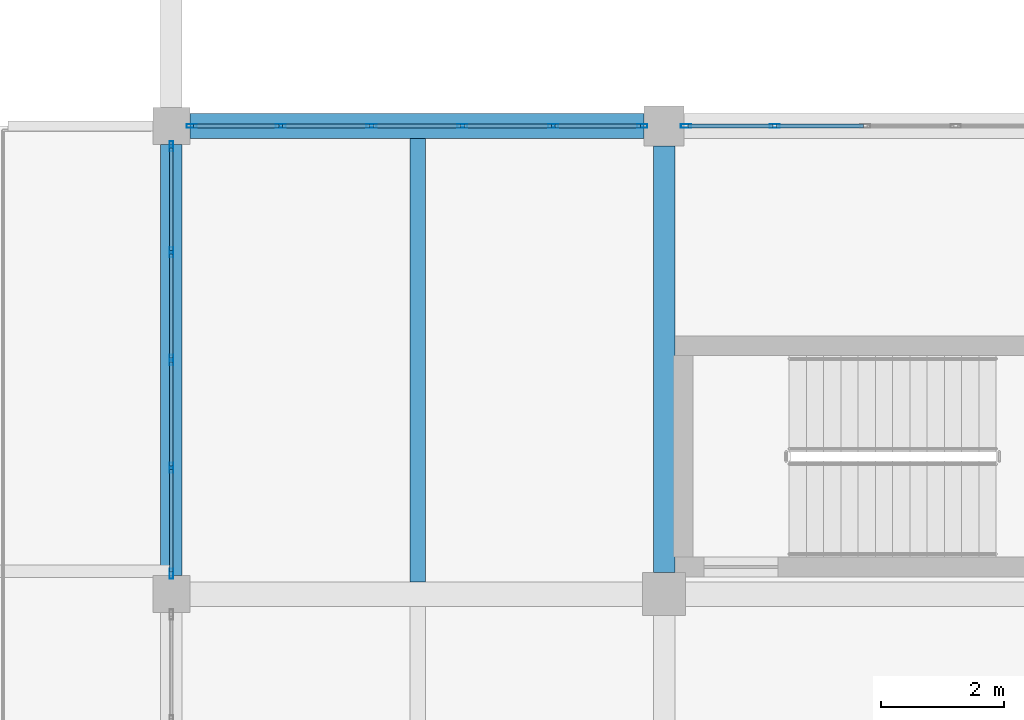
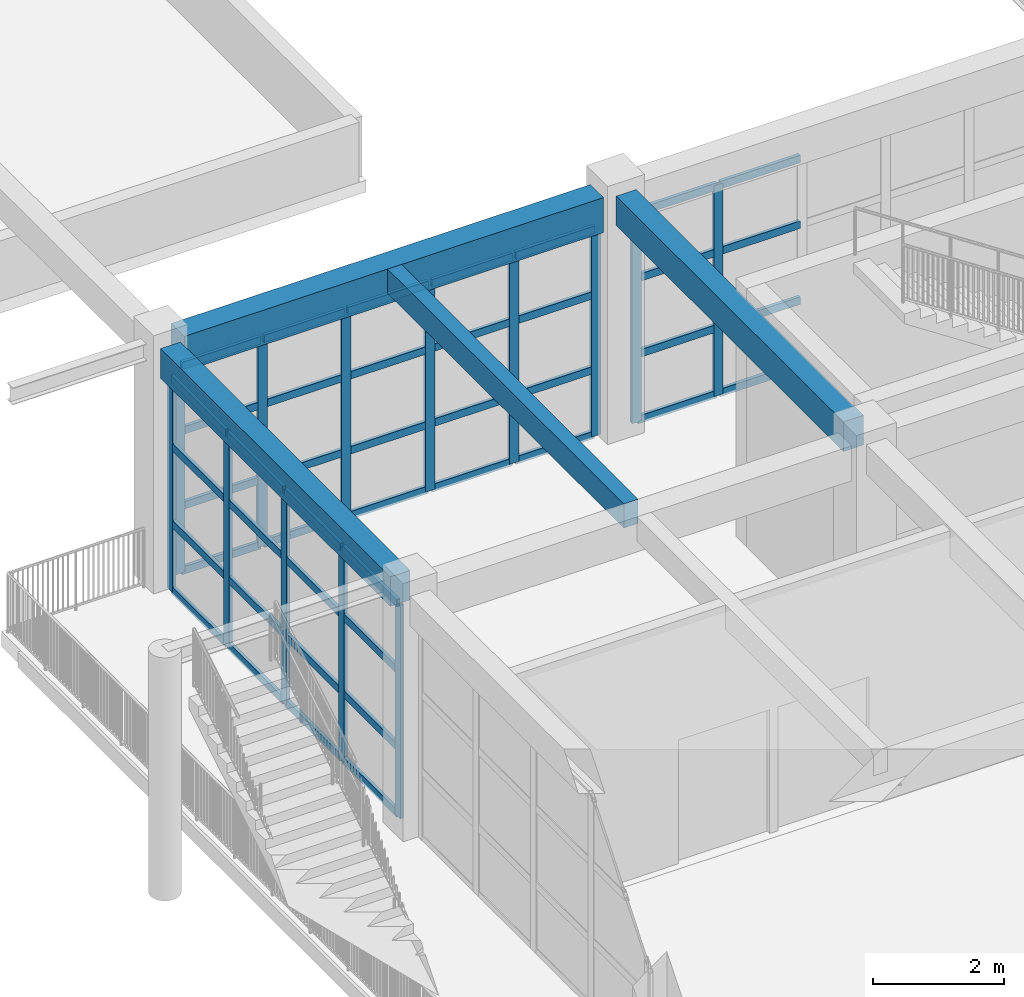
# One storey, part 13 of 50: 57 members, 4 beams, 3 elements without a shape of their own.
"""IFC4 building model written with IfcOpenShell, lengths in metres."""

import ifcopenshell
import ifcopenshell.guid

model = None  # the IFC model being written
_history = None  # IfcOwnerHistory: only IFC2X3 demands one
_inside = {}  # id of a spatial element -> (the spatial element, [elements in it])
_under = {}  # id of a project, library or spatial element -> (it, [spatial elements below it])
_declared = {}  # id of a project -> (the project, [libraries it declares])
_typed = {}  # id of a type object -> (the type object, [elements of that type])
_made_of = {}  # id of a material, layer set ... -> (it, [elements and type objects made of it])


def new_model(schema):
    """Start an empty IFC model of exactly this schema.

    Asked for "IFC4X3", IfcOpenShell would pick the latest addendum, in which some entities
    have other attributes; the version numbers below select the first issue.
    IFC2X3 requires an IfcOwnerHistory on every rooted entity: one is made here for all.
    """
    global model, _history
    if schema == "IFC4X3":
        model = ifcopenshell.file(schema_version=(4, 3, 0, 0))
    else:
        model = ifcopenshell.file(schema=schema)
    _inside.clear()
    _under.clear()
    _declared.clear()
    _typed.clear()
    _made_of.clear()
    _history = None
    if model.schema == "IFC2X3":
        org = make("IfcOrganization", Name="unknown")
        user = make(
            "IfcPersonAndOrganization",
            ThePerson=make("IfcPerson", FamilyName="unknown"),
            TheOrganization=org,
        )
        app = make(
            "IfcApplication",
            ApplicationDeveloper=org,
            Version="unknown",
            ApplicationFullName="unknown",
            ApplicationIdentifier="unknown",
        )
        _history = make(
            "IfcOwnerHistory",
            OwningUser=user,
            OwningApplication=app,
            ChangeAction="ADDED",
            CreationDate=0,
        )
    return model


def make(cls, **values):
    """One entity of the class cls with the attributes given. An attribute that is None is left unset."""
    return model.create_entity(
        cls, **{name: value for name, value in values.items() if value is not None}
    )


def rooted(cls, **values):
    """An entity with a GlobalId (a new one), such as an element, a storey or a relation."""
    return make(cls, GlobalId=ifcopenshell.guid.new(), OwnerHistory=_history, **values)


def si_unit(unit_type, name, prefix=None):
    """IfcSIUnit, for example si_unit("LENGTHUNIT", "METRE", prefix="MILLI")."""
    return make("IfcSIUnit", UnitType=unit_type, Prefix=prefix, Name=name)


def assignment(units):
    """IfcUnitAssignment: the units of a project."""
    return None if units is None else make("IfcUnitAssignment", Units=units)


def point(xyz):
    """IfcCartesianPoint."""
    return None if xyz is None else make("IfcCartesianPoint", Coordinates=xyz)


def direction(xyz):
    """IfcDirection."""
    return None if xyz is None else make("IfcDirection", DirectionRatios=xyz)


def frame(location, z_axis=None, x_axis=None):
    """IfcAxis2Placement3D, a coordinate frame: its origin and axes. An axis left out is left unset."""
    return make(
        "IfcAxis2Placement3D",
        Location=point(location),
        Axis=direction(z_axis),
        RefDirection=direction(x_axis),
    )


def frame_2d(location, x_axis=None):
    """IfcAxis2Placement2D, a coordinate frame in the plane: its origin and x axis."""
    return make(
        "IfcAxis2Placement2D", Location=point(location), RefDirection=direction(x_axis)
    )


def origin():
    """The frame at (0, 0, 0) with its axes left unset."""
    return frame((0.0, 0.0, 0.0))


def origin_2d():
    """The frame at (0, 0) in the plane with its x axis left unset."""
    return frame_2d((0.0, 0.0))


def place(relative_to, where):
    """IfcLocalPlacement: puts the frame where relative to a parent placement (None: the world)."""
    return make(
        "IfcLocalPlacement", PlacementRelTo=relative_to, RelativePlacement=where
    )


def context(
    kind, dimensions, precision=None, world=None, true_north=None, identifier=None
):
    """IfcGeometricRepresentationContext, for example the 3D "Model" context."""
    return make(
        "IfcGeometricRepresentationContext",
        ContextIdentifier=identifier,
        ContextType=kind,
        CoordinateSpaceDimension=dimensions,
        Precision=precision,
        WorldCoordinateSystem=world,
        TrueNorth=true_north,
    )


def subcontext(parent, identifier, kind, view, scale=None):
    """IfcGeometricRepresentationSubContext, for example "Body" below "Model"."""
    return make(
        "IfcGeometricRepresentationSubContext",
        ContextIdentifier=identifier,
        ContextType=kind,
        ParentContext=parent,
        TargetScale=scale,
        TargetView=view,
    )


def project(units=None, contexts=None):
    """IfcProject with its units and contexts."""
    return rooted(
        "IfcProject",
        Name="project",
        RepresentationContexts=contexts,
        UnitsInContext=assignment(units),
    )


def spatial(cls, under=None, at=None, **own):
    """A site, building, storey or space (cls), placed at a placement, below another one or the project."""
    s = rooted(cls, ObjectPlacement=at, **own)
    if under is not None:
        _under.setdefault(under.id(), (under, []))[1].append(s)
    return s


def profile(cls, at=None, kind="AREA", **sizes):
    """A parametric profile (cls). Its sizes go by their IFC names, for example OverallWidth=200.0."""
    return make(cls, ProfileType=kind, Position=at, **sizes)


def rectangle(**sizes):
    """IfcRectangleProfileDef."""
    return profile("IfcRectangleProfileDef", **sizes)


def hollow_rectangle(**sizes):
    """IfcRectangleHollowProfileDef."""
    return profile("IfcRectangleHollowProfileDef", **sizes)


def extrude(swept, where, along, depth):
    """IfcExtrudedAreaSolid: the profile swept, set in the frame where, extruded along a direction by depth."""
    return make(
        "IfcExtrudedAreaSolid",
        SweptArea=swept,
        Position=where,
        ExtrudedDirection=direction(along),
        Depth=depth,
    )


def shape(context_of_items, identifier, shape_type, items):
    """IfcShapeRepresentation: the items that make up one representation, for example the "Body"."""
    return make(
        "IfcShapeRepresentation",
        ContextOfItems=context_of_items,
        RepresentationIdentifier=identifier,
        RepresentationType=shape_type,
        Items=items,
    )


def material(Name=None, Category=None):
    """IfcMaterial."""
    return make("IfcMaterial", Name=Name, Category=Category)


def material_profile(
    of_material, cross_section, Name=None, Category=None, Priority=None
):
    """IfcMaterialProfile: a cross section and its material."""
    return make(
        "IfcMaterialProfile",
        Name=Name,
        Material=of_material,
        Profile=cross_section,
        Priority=Priority,
        Category=Category,
    )


def profile_set(profiles, Name=None, composite=None):
    """IfcMaterialProfileSet."""
    return make(
        "IfcMaterialProfileSet",
        Name=Name,
        MaterialProfiles=profiles,
        CompositeProfile=composite,
    )


def made_of(thing, what):
    """Note that an element or type object is made of a material, layer set ...; save() writes the relation."""
    if what is not None:
        _made_of.setdefault(what.id(), (what, []))[1].append(thing)
    return thing


def type_object(cls, material=None, **own):
    """A type object (cls), such as IfcWallType, which elements share."""
    return made_of(rooted(cls, **own), material)


def element(
    cls,
    number,
    at=None,
    inside=None,
    cuts=None,
    type_object=None,
    material=None,
    context=None,
    identifier="Body",
    shape_type=None,
    held_by="IfcProductDefinitionShape",
    body=None,
    shapes=None,
    **own,
):
    """One element of the class cls, such as IfcWall. Its Tag is "e" and its number.

    at: its placement. inside: the storey or other place that contains it. cuts: it is an
    opening in that element (IfcRelVoidsElement). A single representation is given by context,
    identifier, shape_type and body (its items); several are given by shapes. held_by: the class
    of the entity that holds the representations. save() writes the other relations.
    """
    e = rooted(cls, Tag="e%d" % number, ObjectPlacement=at, **own)
    if body is not None:
        shapes = [shape(context, identifier, shape_type, body)]
    if shapes is not None:
        e.Representation = make(held_by, Representations=shapes)
    if inside is not None:
        _inside.setdefault(inside.id(), (inside, []))[1].append(e)
    if cuts is not None:
        rooted(
            "IfcRelVoidsElement", RelatingBuildingElement=cuts, RelatedOpeningElement=e
        )
    if type_object is not None:
        _typed.setdefault(type_object.id(), (type_object, []))[1].append(e)
    return made_of(e, material)


def aggregate(whole, parts):
    """IfcRelAggregates: a whole, such as a stair, and the parts it consists of."""
    return rooted("IfcRelAggregates", RelatingObject=whole, RelatedObjects=parts)


def save(model, path):
    """Write the relations noted so far, then the file.

    IfcRelAggregates (storeys below a building ...), IfcRelContainedInSpatialStructure (elements
    in a storey), IfcRelDefinesByType, IfcRelAssociatesMaterial and IfcRelDeclares: one each for
    every whole, place, type object, material and project.
    """
    for whole, parts in _under.values():
        aggregate(whole, parts)
    for where, things in _inside.values():
        rooted(
            "IfcRelContainedInSpatialStructure",
            RelatedElements=things,
            RelatingStructure=where,
        )
    for kind, things in _typed.values():
        rooted("IfcRelDefinesByType", RelatedObjects=things, RelatingType=kind)
    for what, things in _made_of.values():
        rooted("IfcRelAssociatesMaterial", RelatedObjects=things, RelatingMaterial=what)
    for by, libraries in _declared.values():
        rooted("IfcRelDeclares", RelatingContext=by, RelatedDefinitions=libraries)
    model.write(path)


model = new_model("IFC4")

# Units and contexts
model_context = context("Model", 3, precision=1e-05, world=origin(), true_north=direction((0.0, 1.0)))
body_context = subcontext(model_context, "Body", "Model", "MODEL_VIEW")
ifc_project = project(units=[si_unit("LENGTHUNIT", "METRE"), si_unit("AREAUNIT", "SQUARE_METRE"), si_unit("VOLUMEUNIT", "CUBIC_METRE"), si_unit("PLANEANGLEUNIT", "RADIAN"), si_unit("MASSUNIT", "GRAM", prefix="KILO")], contexts=[model_context])

# Site, building, storey
site_placement = place(None, origin())
site = spatial("IfcSite", under=ifc_project, at=site_placement, CompositionType="ELEMENT")
building_placement = place(site_placement, origin())
building = spatial("IfcBuilding", under=site, at=building_placement, Name="Zantavel Square City Hall", CompositionType="ELEMENT")
storey_placement = place(building_placement, frame((0.0, 0.0, 18.89990234375)))
storey = spatial("IfcBuildingStorey", under=building, at=storey_placement, Name="L05", CompositionType="ELEMENT", Elevation=18.89990234375)

# Curtain wall, members
ifc_material_1 = material(Name="Anodised aluminium 6063-T6", Category="aluminium")
curtain_wall_type_1 = type_object("IfcCurtainWallType", Name="Curtain Wall TRV1 7375x3870", PredefinedType="USERDEFINED", material=ifc_material_1)
curtain_wall_1_placement = place(storey_placement, origin())
curtain_wall_1 = element("IfcCurtainWall", 1, at=curtain_wall_1_placement, inside=storey, type_object=curtain_wall_type_1, Name="L05 Glazed Curtain Wall CW-L05-122", ObjectType="GLAZED CURTAIN WALL", PredefinedType="USERDEFINED")
ifc_material_profile_1 = material_profile(ifc_material_1, hollow_rectangle(XDim=0.06005859375, YDim=0.1650390625, WallThickness=0.00390625, at=origin_2d()), Name="ALU 60x165x4")
ifc_profile_set_1 = profile_set([ifc_material_profile_1], Name="Anodised aluminium 6063-T6")
member_type_1 = type_object("IfcMemberType", Name="CW Council Gallery Mullion ALU 60x165x4", PredefinedType="MULLION", material=ifc_profile_set_1)
member_1_placement = place(storey_placement, frame((56.330078125, 68.39990234375, 0.0), z_axis=(0.0, 0.0, 1.0), x_axis=(0.0, 1.0, 0.0)))
member_1 = element("IfcMember", 2, at=member_1_placement, type_object=member_type_1, Name="CW-122 mullion 1", PredefinedType="MULLION", context=body_context, shape_type="SweptSolid", body=[
    extrude(hollow_rectangle(XDim=0.06005859375, YDim=0.1650390625, WallThickness=0.00390625, at=origin_2d()), origin(), (0.0, 0.0, 1.0), 3.8701171875),
])
member_2_placement = place(storey_placement, frame((57.77490234375, 68.39990234375, 0.0), z_axis=(0.0, 0.0, 1.0), x_axis=(0.0, 1.0, 0.0)))
member_2 = element("IfcMember", 3, at=member_2_placement, type_object=member_type_1, Name="CW-122 mullion 2", PredefinedType="MULLION", context=body_context, shape_type="SweptSolid", body=[
    extrude(hollow_rectangle(XDim=0.06005859375, YDim=0.1650390625, WallThickness=0.00390625, at=origin_2d()), origin(), (0.0, 0.0, 1.0), 3.8701171875),
])
member_3_placement = place(storey_placement, frame((59.25, 68.39990234375, 0.0), z_axis=(0.0, 0.0, 1.0), x_axis=(0.0, 1.0, 0.0)))
member_3 = element("IfcMember", 4, at=member_3_placement, type_object=member_type_1, Name="CW-122 mullion 3", PredefinedType="MULLION", context=body_context, shape_type="SweptSolid", body=[
    extrude(hollow_rectangle(XDim=0.06005859375, YDim=0.1650390625, WallThickness=0.00390625, at=origin_2d()), origin(), (0.0, 0.0, 1.0), 3.8701171875),
])
member_4_placement = place(storey_placement, frame((60.72509765625, 68.39990234375, 0.0), z_axis=(0.0, 0.0, 1.0), x_axis=(0.0, 1.0, 0.0)))
member_4 = element("IfcMember", 5, at=member_4_placement, type_object=member_type_1, Name="CW-122 mullion 4", PredefinedType="MULLION", context=body_context, shape_type="SweptSolid", body=[
    extrude(hollow_rectangle(XDim=0.06005859375, YDim=0.1650390625, WallThickness=0.00390625, at=origin_2d()), origin(), (0.0, 0.0, 1.0), 3.8701171875),
])
member_5_placement = place(storey_placement, frame((62.199951171875, 68.39990234375, 0.0), z_axis=(0.0, 0.0, 1.0), x_axis=(0.0, 1.0, 0.0)))
member_5 = element("IfcMember", 6, at=member_5_placement, type_object=member_type_1, Name="CW-122 mullion 5", PredefinedType="MULLION", context=body_context, shape_type="SweptSolid", body=[
    extrude(hollow_rectangle(XDim=0.06005859375, YDim=0.1650390625, WallThickness=0.00390625, at=origin_2d()), origin(), (0.0, 0.0, 1.0), 3.8701171875),
])
member_6_placement = place(storey_placement, frame((63.64501953125, 68.39990234375, 0.0), z_axis=(0.0, 0.0, 1.0), x_axis=(0.0, 1.0, 0.0)))
member_6 = element("IfcMember", 7, at=member_6_placement, type_object=member_type_1, Name="CW-122 mullion 6", PredefinedType="MULLION", context=body_context, shape_type="SweptSolid", body=[
    extrude(hollow_rectangle(XDim=0.06005859375, YDim=0.1650390625, WallThickness=0.00390625, at=origin_2d()), origin(), (0.0, 0.0, 1.0), 3.8701171875),
])

curtain_wall_type_2 = type_object("IfcCurtainWallType", Name="Curtain Wall TRV1 7350x3920", PredefinedType="USERDEFINED", material=ifc_material_1)
curtain_wall_2_placement = place(storey_placement, origin())
curtain_wall_2 = element("IfcCurtainWall", 8, at=curtain_wall_2_placement, inside=storey, type_object=curtain_wall_type_2, Name="L05 Glazed Curtain Wall CW-L05-123", ObjectType="GLAZED CURTAIN WALL", PredefinedType="USERDEFINED")
member_7_placement = place(storey_placement, frame((64.35498046875, 68.39990234375, 0.0), z_axis=(0.0, 0.0, 1.0), x_axis=(0.0, 1.0, 0.0)))
member_7 = element("IfcMember", 9, at=member_7_placement, type_object=member_type_1, Name="CW-123 mullion 1", PredefinedType="MULLION", context=body_context, shape_type="SweptSolid", body=[
    extrude(hollow_rectangle(XDim=0.06005859375, YDim=0.1650390625, WallThickness=0.00390625, at=origin_2d()), origin(), (0.0, 0.0, 1.0), 3.920166015625),
])
member_8_placement = place(storey_placement, frame((65.794921875, 68.39990234375, 0.0), z_axis=(0.0, 0.0, 1.0), x_axis=(0.0, 1.0, 0.0)))
member_8 = element("IfcMember", 10, at=member_8_placement, type_object=member_type_1, Name="CW-123 mullion 2", PredefinedType="MULLION", context=body_context, shape_type="SweptSolid", body=[
    extrude(hollow_rectangle(XDim=0.06005859375, YDim=0.1650390625, WallThickness=0.00390625, at=origin_2d()), origin(), (0.0, 0.0, 1.0), 3.920166015625),
])

curtain_wall_type_3 = type_object("IfcCurtainWallType", Name="Curtain Wall TRV1 7000x3970", PredefinedType="USERDEFINED", material=ifc_material_1)
curtain_wall_3_placement = place(storey_placement, origin())
curtain_wall_3 = element("IfcCurtainWall", 11, at=curtain_wall_3_placement, inside=storey, type_object=curtain_wall_type_3, Name="L05 Glazed Curtain Wall CW-L05-143", ObjectType="GLAZED CURTAIN WALL", PredefinedType="USERDEFINED")
member_9_placement = place(storey_placement, frame((56.0, 61.1298828125, 0.0), z_axis=(0.0, 0.0, 1.0), x_axis=(-1.0, 0.0, 0.0)))
member_9 = element("IfcMember", 12, at=member_9_placement, type_object=member_type_1, Name="CW-143 mullion 1", PredefinedType="MULLION", context=body_context, shape_type="SweptSolid", body=[
    extrude(hollow_rectangle(XDim=0.06005859375, YDim=0.1650390625, WallThickness=0.00390625, at=origin_2d()), origin(), (0.0, 0.0, 1.0), 3.97021484375),
])
member_10_placement = place(storey_placement, frame((56.0, 62.85009765625, 0.0), z_axis=(0.0, 0.0, 1.0), x_axis=(-1.0, 0.0, 0.0)))
member_10 = element("IfcMember", 13, at=member_10_placement, type_object=member_type_1, Name="CW-143 mullion 2", PredefinedType="MULLION", context=body_context, shape_type="SweptSolid", body=[
    extrude(hollow_rectangle(XDim=0.06005859375, YDim=0.1650390625, WallThickness=0.00390625, at=origin_2d()), origin(), (0.0, 0.0, 1.0), 3.97021484375),
])
member_11_placement = place(storey_placement, frame((56.0, 64.60009765625, 0.0), z_axis=(0.0, 0.0, 1.0), x_axis=(-1.0, 0.0, 0.0)))
member_11 = element("IfcMember", 14, at=member_11_placement, type_object=member_type_1, Name="CW-143 mullion 3", PredefinedType="MULLION", context=body_context, shape_type="SweptSolid", body=[
    extrude(hollow_rectangle(XDim=0.06005859375, YDim=0.1650390625, WallThickness=0.00390625, at=origin_2d()), origin(), (0.0, 0.0, 1.0), 3.97021484375),
])
member_12_placement = place(storey_placement, frame((56.0, 66.35009765625, 0.0), z_axis=(0.0, 0.0, 1.0), x_axis=(-1.0, 0.0, 0.0)))
member_12 = element("IfcMember", 15, at=member_12_placement, type_object=member_type_1, Name="CW-143 mullion 4", PredefinedType="MULLION", context=body_context, shape_type="SweptSolid", body=[
    extrude(hollow_rectangle(XDim=0.06005859375, YDim=0.1650390625, WallThickness=0.00390625, at=origin_2d()), origin(), (0.0, 0.0, 1.0), 3.97021484375),
])
member_13_placement = place(storey_placement, frame((56.0, 68.070068359375, 0.0), z_axis=(0.0, 0.0, 1.0), x_axis=(-1.0, 0.0, 0.0)))
member_13 = element("IfcMember", 16, at=member_13_placement, type_object=member_type_1, Name="CW-143 mullion 5", PredefinedType="MULLION", context=body_context, shape_type="SweptSolid", body=[
    extrude(hollow_rectangle(XDim=0.06005859375, YDim=0.1650390625, WallThickness=0.00390625, at=origin_2d()), origin(), (0.0, 0.0, 1.0), 3.97021484375),
])

# Member
ifc_material_profile_2 = material_profile(ifc_material_1, hollow_rectangle(XDim=0.06005859375, YDim=0.139892578125, WallThickness=0.00390625, at=origin_2d()), Name="ALU 60x140x4")
ifc_profile_set_2 = profile_set([ifc_material_profile_2], Name="Anodised aluminium 6063-T6")
member_type_2 = type_object("IfcMemberType", Name="CW Transom ALU 60x140x4", PredefinedType="USERDEFINED", material=ifc_profile_set_2)
member_14_placement = place(storey_placement, frame((56.360107421875, 68.39990234375, 0.030029296875), z_axis=(1.0, 0.0, 0.0), x_axis=(0.0, 1.0, 0.0)))
member_14 = element("IfcMember", 17, at=member_14_placement, type_object=member_type_2, Name="CW-122 transom 1.1", ObjectType="TRANSOM", PredefinedType="USERDEFINED", context=body_context, shape_type="SweptSolid", body=[
    extrude(hollow_rectangle(XDim=0.06005859375, YDim=0.139892578125, WallThickness=0.00390625, at=origin_2d()), origin(), (0.0, 0.0, 1.0), 1.385009765625),
])

member_15_placement = place(storey_placement, frame((56.360107421875, 68.39990234375, 1.238037109375), z_axis=(1.0, 0.0, 0.0), x_axis=(0.0, 1.0, 0.0)))
member_15 = element("IfcMember", 18, at=member_15_placement, type_object=member_type_2, Name="CW-122 transom 1.2", ObjectType="TRANSOM", PredefinedType="USERDEFINED", context=body_context, shape_type="SweptSolid", body=[
    extrude(hollow_rectangle(XDim=0.06005859375, YDim=0.139892578125, WallThickness=0.00390625, at=origin_2d()), origin(), (0.0, 0.0, 1.0), 1.385009765625),
])

member_16_placement = place(storey_placement, frame((56.360107421875, 68.39990234375, 2.632080078125), z_axis=(1.0, 0.0, 0.0), x_axis=(0.0, 1.0, 0.0)))
member_16 = element("IfcMember", 19, at=member_16_placement, type_object=member_type_2, Name="CW-122 transom 1.3", ObjectType="TRANSOM", PredefinedType="USERDEFINED", context=body_context, shape_type="SweptSolid", body=[
    extrude(hollow_rectangle(XDim=0.06005859375, YDim=0.139892578125, WallThickness=0.00390625, at=origin_2d()), origin(), (0.0, 0.0, 1.0), 1.385009765625),
])

member_17_placement = place(storey_placement, frame((56.360107421875, 68.39990234375, 3.840087890625), z_axis=(1.0, 0.0, 0.0), x_axis=(0.0, 1.0, 0.0)))
member_17 = element("IfcMember", 20, at=member_17_placement, type_object=member_type_2, Name="CW-122 transom 1.4", ObjectType="TRANSOM", PredefinedType="USERDEFINED", context=body_context, shape_type="SweptSolid", body=[
    extrude(hollow_rectangle(XDim=0.06005859375, YDim=0.139892578125, WallThickness=0.00390625, at=origin_2d()), origin(), (0.0, 0.0, 1.0), 1.385009765625),
])

member_18_placement = place(storey_placement, frame((57.804931640625, 68.39990234375, 0.030029296875), z_axis=(1.0, 0.0, 0.0), x_axis=(0.0, 1.0, 0.0)))
member_18 = element("IfcMember", 21, at=member_18_placement, type_object=member_type_2, Name="CW-122 transom 2.1", ObjectType="TRANSOM", PredefinedType="USERDEFINED", context=body_context, shape_type="SweptSolid", body=[
    extrude(hollow_rectangle(XDim=0.06005859375, YDim=0.139892578125, WallThickness=0.00390625, at=origin_2d()), origin(), (0.0, 0.0, 1.0), 1.4150390625),
])

member_19_placement = place(storey_placement, frame((57.804931640625, 68.39990234375, 1.238037109375), z_axis=(1.0, 0.0, 0.0), x_axis=(0.0, 1.0, 0.0)))
member_19 = element("IfcMember", 22, at=member_19_placement, type_object=member_type_2, Name="CW-122 transom 2.2", ObjectType="TRANSOM", PredefinedType="USERDEFINED", context=body_context, shape_type="SweptSolid", body=[
    extrude(hollow_rectangle(XDim=0.06005859375, YDim=0.139892578125, WallThickness=0.00390625, at=origin_2d()), origin(), (0.0, 0.0, 1.0), 1.4150390625),
])

member_20_placement = place(storey_placement, frame((57.804931640625, 68.39990234375, 2.632080078125), z_axis=(1.0, 0.0, 0.0), x_axis=(0.0, 1.0, 0.0)))
member_20 = element("IfcMember", 23, at=member_20_placement, type_object=member_type_2, Name="CW-122 transom 2.3", ObjectType="TRANSOM", PredefinedType="USERDEFINED", context=body_context, shape_type="SweptSolid", body=[
    extrude(hollow_rectangle(XDim=0.06005859375, YDim=0.139892578125, WallThickness=0.00390625, at=origin_2d()), origin(), (0.0, 0.0, 1.0), 1.4150390625),
])

member_21_placement = place(storey_placement, frame((57.804931640625, 68.39990234375, 3.840087890625), z_axis=(1.0, 0.0, 0.0), x_axis=(0.0, 1.0, 0.0)))
member_21 = element("IfcMember", 24, at=member_21_placement, type_object=member_type_2, Name="CW-122 transom 2.4", ObjectType="TRANSOM", PredefinedType="USERDEFINED", context=body_context, shape_type="SweptSolid", body=[
    extrude(hollow_rectangle(XDim=0.06005859375, YDim=0.139892578125, WallThickness=0.00390625, at=origin_2d()), origin(), (0.0, 0.0, 1.0), 1.4150390625),
])

member_22_placement = place(storey_placement, frame((59.280029296875, 68.39990234375, 0.030029296875), z_axis=(1.0, 0.0, 0.0), x_axis=(0.0, 1.0, 0.0)))
member_22 = element("IfcMember", 25, at=member_22_placement, type_object=member_type_2, Name="CW-122 transom 3.1", ObjectType="TRANSOM", PredefinedType="USERDEFINED", context=body_context, shape_type="SweptSolid", body=[
    extrude(hollow_rectangle(XDim=0.06005859375, YDim=0.139892578125, WallThickness=0.00390625, at=origin_2d()), origin(), (0.0, 0.0, 1.0), 1.4150390625),
])

member_23_placement = place(storey_placement, frame((59.280029296875, 68.39990234375, 1.238037109375), z_axis=(1.0, 0.0, 0.0), x_axis=(0.0, 1.0, 0.0)))
member_23 = element("IfcMember", 26, at=member_23_placement, type_object=member_type_2, Name="CW-122 transom 3.2", ObjectType="TRANSOM", PredefinedType="USERDEFINED", context=body_context, shape_type="SweptSolid", body=[
    extrude(hollow_rectangle(XDim=0.06005859375, YDim=0.139892578125, WallThickness=0.00390625, at=origin_2d()), origin(), (0.0, 0.0, 1.0), 1.4150390625),
])

member_24_placement = place(storey_placement, frame((59.280029296875, 68.39990234375, 2.632080078125), z_axis=(1.0, 0.0, 0.0), x_axis=(0.0, 1.0, 0.0)))
member_24 = element("IfcMember", 27, at=member_24_placement, type_object=member_type_2, Name="CW-122 transom 3.3", ObjectType="TRANSOM", PredefinedType="USERDEFINED", context=body_context, shape_type="SweptSolid", body=[
    extrude(hollow_rectangle(XDim=0.06005859375, YDim=0.139892578125, WallThickness=0.00390625, at=origin_2d()), origin(), (0.0, 0.0, 1.0), 1.4150390625),
])

member_25_placement = place(storey_placement, frame((59.280029296875, 68.39990234375, 3.840087890625), z_axis=(1.0, 0.0, 0.0), x_axis=(0.0, 1.0, 0.0)))
member_25 = element("IfcMember", 28, at=member_25_placement, type_object=member_type_2, Name="CW-122 transom 3.4", ObjectType="TRANSOM", PredefinedType="USERDEFINED", context=body_context, shape_type="SweptSolid", body=[
    extrude(hollow_rectangle(XDim=0.06005859375, YDim=0.139892578125, WallThickness=0.00390625, at=origin_2d()), origin(), (0.0, 0.0, 1.0), 1.4150390625),
])

member_26_placement = place(storey_placement, frame((60.7548828125, 68.39990234375, 0.030029296875), z_axis=(1.0, 0.0, 0.0), x_axis=(0.0, 1.0, 0.0)))
member_26 = element("IfcMember", 29, at=member_26_placement, type_object=member_type_2, Name="CW-122 transom 4.1", ObjectType="TRANSOM", PredefinedType="USERDEFINED", context=body_context, shape_type="SweptSolid", body=[
    extrude(hollow_rectangle(XDim=0.06005859375, YDim=0.139892578125, WallThickness=0.00390625, at=origin_2d()), origin(), (0.0, 0.0, 1.0), 1.4150390625),
])

member_27_placement = place(storey_placement, frame((60.7548828125, 68.39990234375, 1.238037109375), z_axis=(1.0, 0.0, 0.0), x_axis=(0.0, 1.0, 0.0)))
member_27 = element("IfcMember", 30, at=member_27_placement, type_object=member_type_2, Name="CW-122 transom 4.2", ObjectType="TRANSOM", PredefinedType="USERDEFINED", context=body_context, shape_type="SweptSolid", body=[
    extrude(hollow_rectangle(XDim=0.06005859375, YDim=0.139892578125, WallThickness=0.00390625, at=origin_2d()), origin(), (0.0, 0.0, 1.0), 1.4150390625),
])

member_28_placement = place(storey_placement, frame((60.7548828125, 68.39990234375, 2.632080078125), z_axis=(1.0, 0.0, 0.0), x_axis=(0.0, 1.0, 0.0)))
member_28 = element("IfcMember", 31, at=member_28_placement, type_object=member_type_2, Name="CW-122 transom 4.3", ObjectType="TRANSOM", PredefinedType="USERDEFINED", context=body_context, shape_type="SweptSolid", body=[
    extrude(hollow_rectangle(XDim=0.06005859375, YDim=0.139892578125, WallThickness=0.00390625, at=origin_2d()), origin(), (0.0, 0.0, 1.0), 1.4150390625),
])

member_29_placement = place(storey_placement, frame((60.7548828125, 68.39990234375, 3.840087890625), z_axis=(1.0, 0.0, 0.0), x_axis=(0.0, 1.0, 0.0)))
member_29 = element("IfcMember", 32, at=member_29_placement, type_object=member_type_2, Name="CW-122 transom 4.4", ObjectType="TRANSOM", PredefinedType="USERDEFINED", context=body_context, shape_type="SweptSolid", body=[
    extrude(hollow_rectangle(XDim=0.06005859375, YDim=0.139892578125, WallThickness=0.00390625, at=origin_2d()), origin(), (0.0, 0.0, 1.0), 1.4150390625),
])

member_30_placement = place(storey_placement, frame((62.22998046875, 68.39990234375, 0.030029296875), z_axis=(1.0, 0.0, 0.0), x_axis=(0.0, 1.0, 0.0)))
member_30 = element("IfcMember", 33, at=member_30_placement, type_object=member_type_2, Name="CW-122 transom 5.1", ObjectType="TRANSOM", PredefinedType="USERDEFINED", context=body_context, shape_type="SweptSolid", body=[
    extrude(hollow_rectangle(XDim=0.06005859375, YDim=0.139892578125, WallThickness=0.00390625, at=origin_2d()), origin(), (0.0, 0.0, 1.0), 1.385009765625),
])

member_31_placement = place(storey_placement, frame((62.22998046875, 68.39990234375, 1.238037109375), z_axis=(1.0, 0.0, 0.0), x_axis=(0.0, 1.0, 0.0)))
member_31 = element("IfcMember", 34, at=member_31_placement, type_object=member_type_2, Name="CW-122 transom 5.2", ObjectType="TRANSOM", PredefinedType="USERDEFINED", context=body_context, shape_type="SweptSolid", body=[
    extrude(hollow_rectangle(XDim=0.06005859375, YDim=0.139892578125, WallThickness=0.00390625, at=origin_2d()), origin(), (0.0, 0.0, 1.0), 1.385009765625),
])

member_32_placement = place(storey_placement, frame((62.22998046875, 68.39990234375, 2.632080078125), z_axis=(1.0, 0.0, 0.0), x_axis=(0.0, 1.0, 0.0)))
member_32 = element("IfcMember", 35, at=member_32_placement, type_object=member_type_2, Name="CW-122 transom 5.3", ObjectType="TRANSOM", PredefinedType="USERDEFINED", context=body_context, shape_type="SweptSolid", body=[
    extrude(hollow_rectangle(XDim=0.06005859375, YDim=0.139892578125, WallThickness=0.00390625, at=origin_2d()), origin(), (0.0, 0.0, 1.0), 1.385009765625),
])

member_33_placement = place(storey_placement, frame((62.22998046875, 68.39990234375, 3.840087890625), z_axis=(1.0, 0.0, 0.0), x_axis=(0.0, 1.0, 0.0)))
member_33 = element("IfcMember", 36, at=member_33_placement, type_object=member_type_2, Name="CW-122 transom 5.4", ObjectType="TRANSOM", PredefinedType="USERDEFINED", context=body_context, shape_type="SweptSolid", body=[
    extrude(hollow_rectangle(XDim=0.06005859375, YDim=0.139892578125, WallThickness=0.00390625, at=origin_2d()), origin(), (0.0, 0.0, 1.0), 1.385009765625),
])

aggregate(curtain_wall_1, [member_1, member_2, member_3, member_4, member_5, member_6, member_14, member_15, member_16, member_17, member_18, member_19, member_20, member_21, member_22, member_23, member_24, member_25, member_26, member_27, member_28, member_29, member_30, member_31, member_32, member_33])

member_34_placement = place(storey_placement, frame((64.385009765625, 68.39990234375, 0.030029296875), z_axis=(1.0, 0.0, 0.0), x_axis=(0.0, 1.0, 0.0)))
member_34 = element("IfcMember", 37, at=member_34_placement, type_object=member_type_2, Name="CW-123 transom 1.1", ObjectType="TRANSOM", PredefinedType="USERDEFINED", context=body_context, shape_type="SweptSolid", body=[
    extrude(hollow_rectangle(XDim=0.06005859375, YDim=0.139892578125, WallThickness=0.00390625, at=origin_2d()), origin(), (0.0, 0.0, 1.0), 1.3798828125),
])

member_35_placement = place(storey_placement, frame((64.385009765625, 68.39990234375, 1.254150390625), z_axis=(1.0, 0.0, 0.0), x_axis=(0.0, 1.0, 0.0)))
member_35 = element("IfcMember", 38, at=member_35_placement, type_object=member_type_2, Name="CW-123 transom 1.2", ObjectType="TRANSOM", PredefinedType="USERDEFINED", context=body_context, shape_type="SweptSolid", body=[
    extrude(hollow_rectangle(XDim=0.06005859375, YDim=0.139892578125, WallThickness=0.00390625, at=origin_2d()), origin(), (0.0, 0.0, 1.0), 1.3798828125),
])

member_36_placement = place(storey_placement, frame((64.385009765625, 68.39990234375, 2.666015625), z_axis=(1.0, 0.0, 0.0), x_axis=(0.0, 1.0, 0.0)))
member_36 = element("IfcMember", 39, at=member_36_placement, type_object=member_type_2, Name="CW-123 transom 1.3", ObjectType="TRANSOM", PredefinedType="USERDEFINED", context=body_context, shape_type="SweptSolid", body=[
    extrude(hollow_rectangle(XDim=0.06005859375, YDim=0.139892578125, WallThickness=0.00390625, at=origin_2d()), origin(), (0.0, 0.0, 1.0), 1.3798828125),
])

member_37_placement = place(storey_placement, frame((64.385009765625, 68.39990234375, 3.89013671875), z_axis=(1.0, 0.0, 0.0), x_axis=(0.0, 1.0, 0.0)))
member_37 = element("IfcMember", 40, at=member_37_placement, type_object=member_type_2, Name="CW-123 transom 1.4", ObjectType="TRANSOM", PredefinedType="USERDEFINED", context=body_context, shape_type="SweptSolid", body=[
    extrude(hollow_rectangle(XDim=0.06005859375, YDim=0.139892578125, WallThickness=0.00390625, at=origin_2d()), origin(), (0.0, 0.0, 1.0), 1.3798828125),
])

member_38_placement = place(storey_placement, frame((65.824951171875, 68.39990234375, 0.030029296875), z_axis=(1.0, 0.0, 0.0), x_axis=(0.0, 1.0, 0.0)))
member_38 = element("IfcMember", 41, at=member_38_placement, type_object=member_type_2, Name="CW-123 transom 2.1", ObjectType="TRANSOM", PredefinedType="USERDEFINED", context=body_context, shape_type="SweptSolid", body=[
    extrude(hollow_rectangle(XDim=0.06005859375, YDim=0.139892578125, WallThickness=0.00390625, at=origin_2d()), origin(), (0.0, 0.0, 1.0), 1.41015625),
])

member_39_placement = place(storey_placement, frame((65.824951171875, 68.39990234375, 1.254150390625), z_axis=(1.0, 0.0, 0.0), x_axis=(0.0, 1.0, 0.0)))
member_39 = element("IfcMember", 42, at=member_39_placement, type_object=member_type_2, Name="CW-123 transom 2.2", ObjectType="TRANSOM", PredefinedType="USERDEFINED", context=body_context, shape_type="SweptSolid", body=[
    extrude(hollow_rectangle(XDim=0.06005859375, YDim=0.139892578125, WallThickness=0.00390625, at=origin_2d()), origin(), (0.0, 0.0, 1.0), 1.41015625),
])

member_40_placement = place(storey_placement, frame((65.824951171875, 68.39990234375, 2.666015625), z_axis=(1.0, 0.0, 0.0), x_axis=(0.0, 1.0, 0.0)))
member_40 = element("IfcMember", 43, at=member_40_placement, type_object=member_type_2, Name="CW-123 transom 2.3", ObjectType="TRANSOM", PredefinedType="USERDEFINED", context=body_context, shape_type="SweptSolid", body=[
    extrude(hollow_rectangle(XDim=0.06005859375, YDim=0.139892578125, WallThickness=0.00390625, at=origin_2d()), origin(), (0.0, 0.0, 1.0), 1.41015625),
])

member_41_placement = place(storey_placement, frame((65.824951171875, 68.39990234375, 3.89013671875), z_axis=(1.0, 0.0, 0.0), x_axis=(0.0, 1.0, 0.0)))
member_41 = element("IfcMember", 44, at=member_41_placement, type_object=member_type_2, Name="CW-123 transom 2.4", ObjectType="TRANSOM", PredefinedType="USERDEFINED", context=body_context, shape_type="SweptSolid", body=[
    extrude(hollow_rectangle(XDim=0.06005859375, YDim=0.139892578125, WallThickness=0.00390625, at=origin_2d()), origin(), (0.0, 0.0, 1.0), 1.41015625),
])

aggregate(curtain_wall_2, [member_7, member_8, member_34, member_35, member_36, member_37, member_38, member_39, member_40, member_41])

member_42_placement = place(storey_placement, frame((56.0, 61.159912109375, 0.030029296875), z_axis=(0.0, 1.0, 0.0), x_axis=(-1.0, 0.0, 0.0)))
member_42 = element("IfcMember", 45, at=member_42_placement, type_object=member_type_2, Name="CW-143 transom 1.1", ObjectType="TRANSOM", PredefinedType="USERDEFINED", context=body_context, shape_type="SweptSolid", body=[
    extrude(hollow_rectangle(XDim=0.06005859375, YDim=0.139892578125, WallThickness=0.00390625, at=origin_2d()), origin(), (0.0, 0.0, 1.0), 1.66015625),
])

member_43_placement = place(storey_placement, frame((56.0, 61.159912109375, 1.27001953125), z_axis=(0.0, 1.0, 0.0), x_axis=(-1.0, 0.0, 0.0)))
member_43 = element("IfcMember", 46, at=member_43_placement, type_object=member_type_2, Name="CW-143 transom 1.2", ObjectType="TRANSOM", PredefinedType="USERDEFINED", context=body_context, shape_type="SweptSolid", body=[
    extrude(hollow_rectangle(XDim=0.06005859375, YDim=0.139892578125, WallThickness=0.00390625, at=origin_2d()), origin(), (0.0, 0.0, 1.0), 1.66015625),
])

member_44_placement = place(storey_placement, frame((56.0, 61.159912109375, 2.7001953125), z_axis=(0.0, 1.0, 0.0), x_axis=(-1.0, 0.0, 0.0)))
member_44 = element("IfcMember", 47, at=member_44_placement, type_object=member_type_2, Name="CW-143 transom 1.3", ObjectType="TRANSOM", PredefinedType="USERDEFINED", context=body_context, shape_type="SweptSolid", body=[
    extrude(hollow_rectangle(XDim=0.06005859375, YDim=0.139892578125, WallThickness=0.00390625, at=origin_2d()), origin(), (0.0, 0.0, 1.0), 1.66015625),
])

member_45_placement = place(storey_placement, frame((56.0, 61.159912109375, 3.940185546875), z_axis=(0.0, 1.0, 0.0), x_axis=(-1.0, 0.0, 0.0)))
member_45 = element("IfcMember", 48, at=member_45_placement, type_object=member_type_2, Name="CW-143 transom 1.4", ObjectType="TRANSOM", PredefinedType="USERDEFINED", context=body_context, shape_type="SweptSolid", body=[
    extrude(hollow_rectangle(XDim=0.06005859375, YDim=0.139892578125, WallThickness=0.00390625, at=origin_2d()), origin(), (0.0, 0.0, 1.0), 1.66015625),
])

member_46_placement = place(storey_placement, frame((56.0, 62.8798828125, 0.030029296875), z_axis=(0.0, 1.0, 0.0), x_axis=(-1.0, 0.0, 0.0)))
member_46 = element("IfcMember", 49, at=member_46_placement, type_object=member_type_2, Name="CW-143 transom 2.1", ObjectType="TRANSOM", PredefinedType="USERDEFINED", context=body_context, shape_type="SweptSolid", body=[
    extrude(hollow_rectangle(XDim=0.06005859375, YDim=0.139892578125, WallThickness=0.00390625, at=origin_2d()), origin(), (0.0, 0.0, 1.0), 1.690185546875),
])

member_47_placement = place(storey_placement, frame((56.0, 62.8798828125, 1.27001953125), z_axis=(0.0, 1.0, 0.0), x_axis=(-1.0, 0.0, 0.0)))
member_47 = element("IfcMember", 50, at=member_47_placement, type_object=member_type_2, Name="CW-143 transom 2.2", ObjectType="TRANSOM", PredefinedType="USERDEFINED", context=body_context, shape_type="SweptSolid", body=[
    extrude(hollow_rectangle(XDim=0.06005859375, YDim=0.139892578125, WallThickness=0.00390625, at=origin_2d()), origin(), (0.0, 0.0, 1.0), 1.690185546875),
])

member_48_placement = place(storey_placement, frame((56.0, 62.8798828125, 2.7001953125), z_axis=(0.0, 1.0, 0.0), x_axis=(-1.0, 0.0, 0.0)))
member_48 = element("IfcMember", 51, at=member_48_placement, type_object=member_type_2, Name="CW-143 transom 2.3", ObjectType="TRANSOM", PredefinedType="USERDEFINED", context=body_context, shape_type="SweptSolid", body=[
    extrude(hollow_rectangle(XDim=0.06005859375, YDim=0.139892578125, WallThickness=0.00390625, at=origin_2d()), origin(), (0.0, 0.0, 1.0), 1.690185546875),
])

member_49_placement = place(storey_placement, frame((56.0, 62.8798828125, 3.940185546875), z_axis=(0.0, 1.0, 0.0), x_axis=(-1.0, 0.0, 0.0)))
member_49 = element("IfcMember", 52, at=member_49_placement, type_object=member_type_2, Name="CW-143 transom 2.4", ObjectType="TRANSOM", PredefinedType="USERDEFINED", context=body_context, shape_type="SweptSolid", body=[
    extrude(hollow_rectangle(XDim=0.06005859375, YDim=0.139892578125, WallThickness=0.00390625, at=origin_2d()), origin(), (0.0, 0.0, 1.0), 1.690185546875),
])

member_50_placement = place(storey_placement, frame((56.0, 64.6298828125, 0.030029296875), z_axis=(0.0, 1.0, 0.0), x_axis=(-1.0, 0.0, 0.0)))
member_50 = element("IfcMember", 53, at=member_50_placement, type_object=member_type_2, Name="CW-143 transom 3.1", ObjectType="TRANSOM", PredefinedType="USERDEFINED", context=body_context, shape_type="SweptSolid", body=[
    extrude(hollow_rectangle(XDim=0.06005859375, YDim=0.139892578125, WallThickness=0.00390625, at=origin_2d()), origin(), (0.0, 0.0, 1.0), 1.690185546875),
])

member_51_placement = place(storey_placement, frame((56.0, 64.6298828125, 1.27001953125), z_axis=(0.0, 1.0, 0.0), x_axis=(-1.0, 0.0, 0.0)))
member_51 = element("IfcMember", 54, at=member_51_placement, type_object=member_type_2, Name="CW-143 transom 3.2", ObjectType="TRANSOM", PredefinedType="USERDEFINED", context=body_context, shape_type="SweptSolid", body=[
    extrude(hollow_rectangle(XDim=0.06005859375, YDim=0.139892578125, WallThickness=0.00390625, at=origin_2d()), origin(), (0.0, 0.0, 1.0), 1.690185546875),
])

member_52_placement = place(storey_placement, frame((56.0, 64.6298828125, 2.7001953125), z_axis=(0.0, 1.0, 0.0), x_axis=(-1.0, 0.0, 0.0)))
member_52 = element("IfcMember", 55, at=member_52_placement, type_object=member_type_2, Name="CW-143 transom 3.3", ObjectType="TRANSOM", PredefinedType="USERDEFINED", context=body_context, shape_type="SweptSolid", body=[
    extrude(hollow_rectangle(XDim=0.06005859375, YDim=0.139892578125, WallThickness=0.00390625, at=origin_2d()), origin(), (0.0, 0.0, 1.0), 1.690185546875),
])

member_53_placement = place(storey_placement, frame((56.0, 64.6298828125, 3.940185546875), z_axis=(0.0, 1.0, 0.0), x_axis=(-1.0, 0.0, 0.0)))
member_53 = element("IfcMember", 56, at=member_53_placement, type_object=member_type_2, Name="CW-143 transom 3.4", ObjectType="TRANSOM", PredefinedType="USERDEFINED", context=body_context, shape_type="SweptSolid", body=[
    extrude(hollow_rectangle(XDim=0.06005859375, YDim=0.139892578125, WallThickness=0.00390625, at=origin_2d()), origin(), (0.0, 0.0, 1.0), 1.690185546875),
])

member_54_placement = place(storey_placement, frame((56.0, 66.3798828125, 0.030029296875), z_axis=(0.0, 1.0, 0.0), x_axis=(-1.0, 0.0, 0.0)))
member_54 = element("IfcMember", 57, at=member_54_placement, type_object=member_type_2, Name="CW-143 transom 4.1", ObjectType="TRANSOM", PredefinedType="USERDEFINED", context=body_context, shape_type="SweptSolid", body=[
    extrude(hollow_rectangle(XDim=0.06005859375, YDim=0.139892578125, WallThickness=0.00390625, at=origin_2d()), origin(), (0.0, 0.0, 1.0), 1.66015625),
])

member_55_placement = place(storey_placement, frame((56.0, 66.3798828125, 1.27001953125), z_axis=(0.0, 1.0, 0.0), x_axis=(-1.0, 0.0, 0.0)))
member_55 = element("IfcMember", 58, at=member_55_placement, type_object=member_type_2, Name="CW-143 transom 4.2", ObjectType="TRANSOM", PredefinedType="USERDEFINED", context=body_context, shape_type="SweptSolid", body=[
    extrude(hollow_rectangle(XDim=0.06005859375, YDim=0.139892578125, WallThickness=0.00390625, at=origin_2d()), origin(), (0.0, 0.0, 1.0), 1.66015625),
])

member_56_placement = place(storey_placement, frame((56.0, 66.3798828125, 2.7001953125), z_axis=(0.0, 1.0, 0.0), x_axis=(-1.0, 0.0, 0.0)))
member_56 = element("IfcMember", 59, at=member_56_placement, type_object=member_type_2, Name="CW-143 transom 4.3", ObjectType="TRANSOM", PredefinedType="USERDEFINED", context=body_context, shape_type="SweptSolid", body=[
    extrude(hollow_rectangle(XDim=0.06005859375, YDim=0.139892578125, WallThickness=0.00390625, at=origin_2d()), origin(), (0.0, 0.0, 1.0), 1.66015625),
])

member_57_placement = place(storey_placement, frame((56.0, 66.3798828125, 3.940185546875), z_axis=(0.0, 1.0, 0.0), x_axis=(-1.0, 0.0, 0.0)))
member_57 = element("IfcMember", 60, at=member_57_placement, type_object=member_type_2, Name="CW-143 transom 4.4", ObjectType="TRANSOM", PredefinedType="USERDEFINED", context=body_context, shape_type="SweptSolid", body=[
    extrude(hollow_rectangle(XDim=0.06005859375, YDim=0.139892578125, WallThickness=0.00390625, at=origin_2d()), origin(), (0.0, 0.0, 1.0), 1.66015625),
])

aggregate(curtain_wall_3, [member_9, member_10, member_11, member_12, member_13, member_42, member_43, member_44, member_45, member_46, member_47, member_48, member_49, member_50, member_51, member_52, member_53, member_54, member_55, member_56, member_57])

# Beams
ifc_material_2 = material(Name="Concrete C35/45", Category="concrete")
ifc_material_profile_3 = material_profile(ifc_material_2, rectangle(XDim=0.39990234375, YDim=0.64990234375, at=origin_2d()), Name="RC 400x650")
ifc_profile_set_3 = profile_set([ifc_material_profile_3], Name="Concrete C35/45")
beam_type_1 = type_object("IfcBeamType", Name="Frame Beam RC 400x650 C35/45", PredefinedType="BEAM", material=ifc_profile_set_3)
beam_1_placement = place(storey_placement, frame((56.300048828125, 68.39990234375, 4.195068359375), z_axis=(1.0, 0.0, 0.0), x_axis=(0.0, 1.0, 0.0)))
element("IfcBeam", 61, at=beam_1_placement, inside=storey, type_object=beam_type_1, Name="L05 Girder BMX-L05-0560-0684", PredefinedType="BEAM", context=body_context, shape_type="SweptSolid", body=[
    extrude(rectangle(XDim=0.39990234375, YDim=0.64990234375, at=origin_2d()), origin(), (0.0, 0.0, 1.0), 7.375),
])
ifc_material_profile_4 = material_profile(ifc_material_2, rectangle(XDim=0.25, YDim=0.449951171875, at=origin_2d()), Name="RC 250x450")
ifc_profile_set_4 = profile_set([ifc_material_profile_4], Name="Concrete C35/45")
beam_type_2 = type_object("IfcBeamType", Name="Light Floor Joist RC 250x450 C35/45", PredefinedType="JOIST", material=ifc_profile_set_4)
beam_2_placement = place(storey_placement, frame((60.0, 61.0, 4.295166015625), z_axis=(0.0, 1.0, 0.0), x_axis=(-1.0, 0.0, 0.0)))
element("IfcBeam", 62, at=beam_2_placement, inside=storey, type_object=beam_type_2, Name="L05 Floor Joist JST-L05-0600-0608", PredefinedType="JOIST", context=body_context, shape_type="SweptSolid", body=[
    extrude(rectangle(XDim=0.25, YDim=0.449951171875, at=origin_2d()), origin(), (0.0, 0.0, 1.0), 7.199951171875),
])
ifc_material_profile_5 = material_profile(ifc_material_2, rectangle(XDim=0.35009765625, YDim=0.550048828125, at=origin_2d()), Name="RC 350x550")
ifc_profile_set_5 = profile_set([ifc_material_profile_5], Name="Concrete C35/45")
beam_type_3 = type_object("IfcBeamType", Name="Secondary Beam RC 350x550 C35/45", PredefinedType="BEAM", material=ifc_profile_set_5)
beam_3_placement = place(storey_placement, frame((56.0, 61.10009765625, 4.2451171875), z_axis=(0.0, 1.0, 0.0), x_axis=(-1.0, 0.0, 0.0)))
element("IfcBeam", 63, at=beam_3_placement, inside=storey, type_object=beam_type_3, Name="L05 Beam BMY-L05-0560-0608", PredefinedType="BEAM", context=body_context, shape_type="SweptSolid", body=[
    extrude(rectangle(XDim=0.35009765625, YDim=0.550048828125, at=origin_2d()), origin(), (0.0, 0.0, 1.0), 7.0),
])
beam_4_placement = place(storey_placement, frame((64.0, 61.14990234375, 4.295166015625), z_axis=(0.0, 1.0, 0.0), x_axis=(-1.0, 0.0, 0.0)))
element("IfcBeam", 64, at=beam_4_placement, inside=storey, type_object=beam_type_3, Name="L05 Beam BMY-L05-0640-0608", PredefinedType="BEAM", context=body_context, shape_type="SweptSolid", body=[
    extrude(rectangle(XDim=0.35009765625, YDim=0.550048828125, at=origin_2d()), origin(), (0.0, 0.0, 1.0), 6.925048828125),
])

save(model, "model.ifc")
